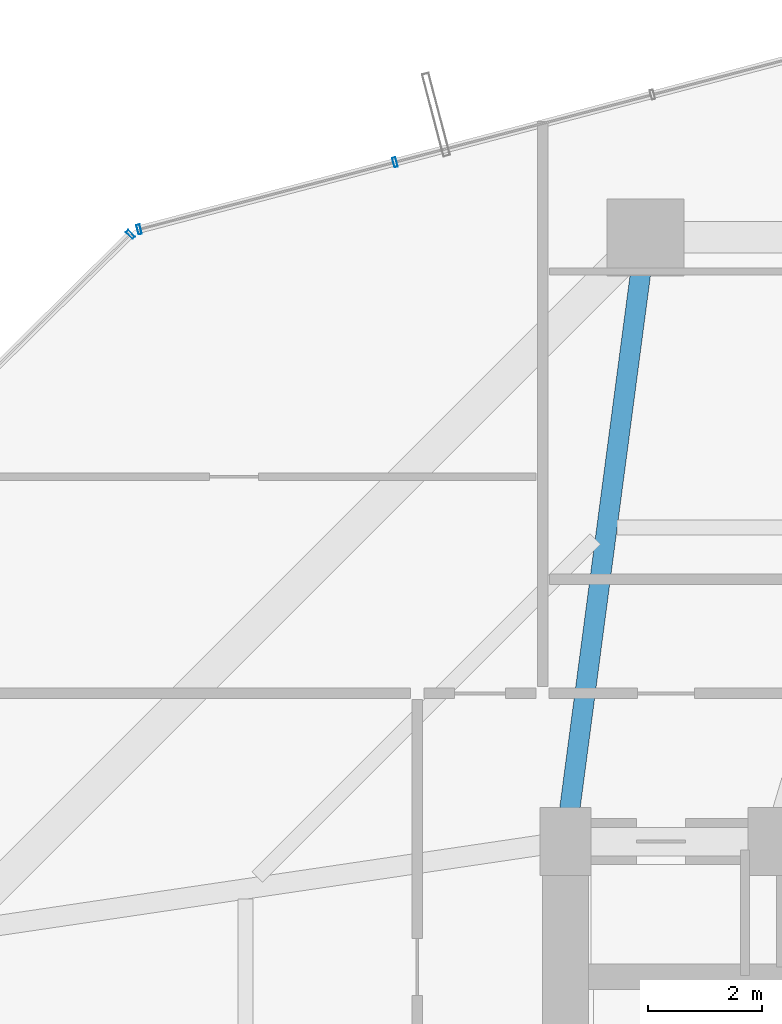
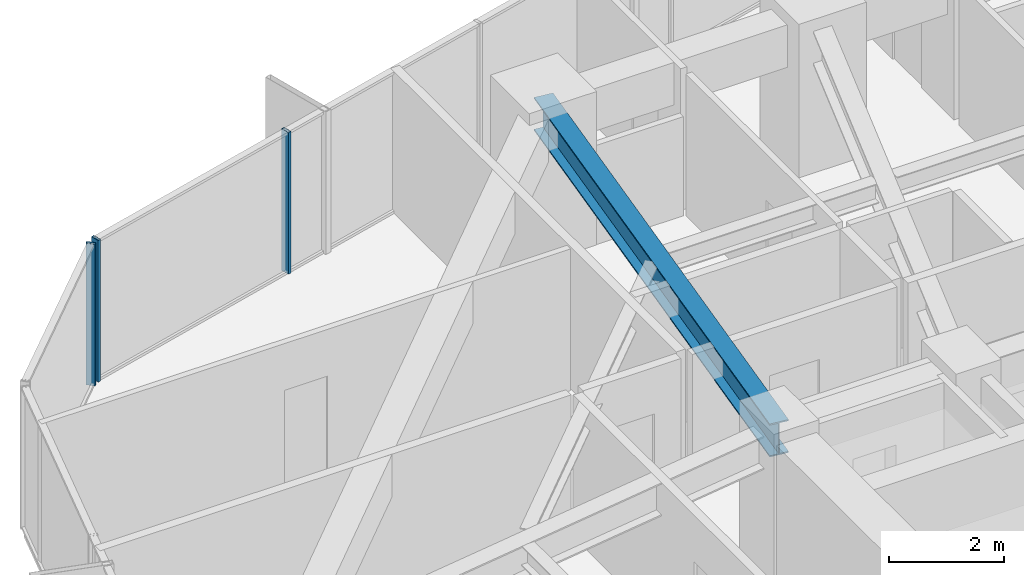
# One storey, part 24 of 39: 3 members, 1 beam, 2 elements without a shape of their own.
"""IFC4 building model written with IfcOpenShell, lengths in metres."""

import ifcopenshell
import ifcopenshell.guid

model = None  # the IFC model being written
_history = None  # IfcOwnerHistory: only IFC2X3 demands one
_inside = {}  # id of a spatial element -> (the spatial element, [elements in it])
_under = {}  # id of a project, library or spatial element -> (it, [spatial elements below it])
_declared = {}  # id of a project -> (the project, [libraries it declares])
_typed = {}  # id of a type object -> (the type object, [elements of that type])
_made_of = {}  # id of a material, layer set ... -> (it, [elements and type objects made of it])


def new_model(schema):
    """Start an empty IFC model of exactly this schema.

    Asked for "IFC4X3", IfcOpenShell would pick the latest addendum, in which some entities
    have other attributes; the version numbers below select the first issue.
    IFC2X3 requires an IfcOwnerHistory on every rooted entity: one is made here for all.
    """
    global model, _history
    if schema == "IFC4X3":
        model = ifcopenshell.file(schema_version=(4, 3, 0, 0))
    else:
        model = ifcopenshell.file(schema=schema)
    _inside.clear()
    _under.clear()
    _declared.clear()
    _typed.clear()
    _made_of.clear()
    _history = None
    if model.schema == "IFC2X3":
        org = make("IfcOrganization", Name="unknown")
        user = make(
            "IfcPersonAndOrganization",
            ThePerson=make("IfcPerson", FamilyName="unknown"),
            TheOrganization=org,
        )
        app = make(
            "IfcApplication",
            ApplicationDeveloper=org,
            Version="unknown",
            ApplicationFullName="unknown",
            ApplicationIdentifier="unknown",
        )
        _history = make(
            "IfcOwnerHistory",
            OwningUser=user,
            OwningApplication=app,
            ChangeAction="ADDED",
            CreationDate=0,
        )
    return model


def make(cls, **values):
    """One entity of the class cls with the attributes given. An attribute that is None is left unset."""
    return model.create_entity(
        cls, **{name: value for name, value in values.items() if value is not None}
    )


def rooted(cls, **values):
    """An entity with a GlobalId (a new one), such as an element, a storey or a relation."""
    return make(cls, GlobalId=ifcopenshell.guid.new(), OwnerHistory=_history, **values)


def si_unit(unit_type, name, prefix=None):
    """IfcSIUnit, for example si_unit("LENGTHUNIT", "METRE", prefix="MILLI")."""
    return make("IfcSIUnit", UnitType=unit_type, Prefix=prefix, Name=name)


def assignment(units):
    """IfcUnitAssignment: the units of a project."""
    return None if units is None else make("IfcUnitAssignment", Units=units)


def point(xyz):
    """IfcCartesianPoint."""
    return None if xyz is None else make("IfcCartesianPoint", Coordinates=xyz)


def direction(xyz):
    """IfcDirection."""
    return None if xyz is None else make("IfcDirection", DirectionRatios=xyz)


def frame(location, z_axis=None, x_axis=None):
    """IfcAxis2Placement3D, a coordinate frame: its origin and axes. An axis left out is left unset."""
    return make(
        "IfcAxis2Placement3D",
        Location=point(location),
        Axis=direction(z_axis),
        RefDirection=direction(x_axis),
    )


def frame_2d(location, x_axis=None):
    """IfcAxis2Placement2D, a coordinate frame in the plane: its origin and x axis."""
    return make(
        "IfcAxis2Placement2D", Location=point(location), RefDirection=direction(x_axis)
    )


def origin():
    """The frame at (0, 0, 0) with its axes left unset."""
    return frame((0.0, 0.0, 0.0))


def origin_2d():
    """The frame at (0, 0) in the plane with its x axis left unset."""
    return frame_2d((0.0, 0.0))


def place(relative_to, where):
    """IfcLocalPlacement: puts the frame where relative to a parent placement (None: the world)."""
    return make(
        "IfcLocalPlacement", PlacementRelTo=relative_to, RelativePlacement=where
    )


def context(
    kind, dimensions, precision=None, world=None, true_north=None, identifier=None
):
    """IfcGeometricRepresentationContext, for example the 3D "Model" context."""
    return make(
        "IfcGeometricRepresentationContext",
        ContextIdentifier=identifier,
        ContextType=kind,
        CoordinateSpaceDimension=dimensions,
        Precision=precision,
        WorldCoordinateSystem=world,
        TrueNorth=true_north,
    )


def subcontext(parent, identifier, kind, view, scale=None):
    """IfcGeometricRepresentationSubContext, for example "Body" below "Model"."""
    return make(
        "IfcGeometricRepresentationSubContext",
        ContextIdentifier=identifier,
        ContextType=kind,
        ParentContext=parent,
        TargetScale=scale,
        TargetView=view,
    )


def project(units=None, contexts=None):
    """IfcProject with its units and contexts."""
    return rooted(
        "IfcProject",
        Name="project",
        RepresentationContexts=contexts,
        UnitsInContext=assignment(units),
    )


def spatial(cls, under=None, at=None, **own):
    """A site, building, storey or space (cls), placed at a placement, below another one or the project."""
    s = rooted(cls, ObjectPlacement=at, **own)
    if under is not None:
        _under.setdefault(under.id(), (under, []))[1].append(s)
    return s


def profile(cls, at=None, kind="AREA", **sizes):
    """A parametric profile (cls). Its sizes go by their IFC names, for example OverallWidth=200.0."""
    return make(cls, ProfileType=kind, Position=at, **sizes)


def hollow_rectangle(**sizes):
    """IfcRectangleHollowProfileDef."""
    return profile("IfcRectangleHollowProfileDef", **sizes)


def i_section(**sizes):
    """IfcIShapeProfileDef."""
    return profile("IfcIShapeProfileDef", **sizes)


def extrude(swept, where, along, depth):
    """IfcExtrudedAreaSolid: the profile swept, set in the frame where, extruded along a direction by depth."""
    return make(
        "IfcExtrudedAreaSolid",
        SweptArea=swept,
        Position=where,
        ExtrudedDirection=direction(along),
        Depth=depth,
    )


def shape(context_of_items, identifier, shape_type, items):
    """IfcShapeRepresentation: the items that make up one representation, for example the "Body"."""
    return make(
        "IfcShapeRepresentation",
        ContextOfItems=context_of_items,
        RepresentationIdentifier=identifier,
        RepresentationType=shape_type,
        Items=items,
    )


def source(mapping_origin, context_of_items, identifier, shape_type, items):
    """IfcRepresentationMap: a shape defined once, which mapped items show again and again."""
    return make(
        "IfcRepresentationMap",
        MappingOrigin=mapping_origin,
        MappedRepresentation=shape(context_of_items, identifier, shape_type, items),
    )


def transform(
    local_origin,
    x_axis=None,
    y_axis=None,
    z_axis=None,
    scale=None,
    scale2=None,
    scale3=None,
    uniform=True,
):
    """IfcCartesianTransformationOperator3D, or its non-uniform kind. x_axis, y_axis, z_axis: its Axis1, 2, 3."""
    if uniform:
        return make(
            "IfcCartesianTransformationOperator3D",
            Axis1=direction(x_axis),
            Axis2=direction(y_axis),
            LocalOrigin=point(local_origin),
            Scale=scale,
            Axis3=direction(z_axis),
        )
    return make(
        "IfcCartesianTransformationOperator3DnonUniform",
        Axis1=direction(x_axis),
        Axis2=direction(y_axis),
        LocalOrigin=point(local_origin),
        Scale=scale,
        Axis3=direction(z_axis),
        Scale2=scale2,
        Scale3=scale3,
    )


def mapped(mapping_source, mapping_target):
    """IfcMappedItem: shows the shape of a source again, moved by a transform."""
    return make(
        "IfcMappedItem", MappingSource=mapping_source, MappingTarget=mapping_target
    )


def material(Name=None, Category=None):
    """IfcMaterial."""
    return make("IfcMaterial", Name=Name, Category=Category)


def layer(
    of_material, thickness, ventilated=None, Name=None, Category=None, Priority=None
):
    """IfcMaterialLayer: one layer of a wall or slab, of a material (None: an air gap)."""
    return make(
        "IfcMaterialLayer",
        Material=of_material,
        LayerThickness=thickness,
        IsVentilated=ventilated,
        Name=Name,
        Category=Category,
        Priority=Priority,
    )


def layer_set(layers, Name=None):
    """IfcMaterialLayerSet."""
    return make("IfcMaterialLayerSet", MaterialLayers=layers, LayerSetName=Name)


def material_profile(
    of_material, cross_section, Name=None, Category=None, Priority=None
):
    """IfcMaterialProfile: a cross section and its material."""
    return make(
        "IfcMaterialProfile",
        Name=Name,
        Material=of_material,
        Profile=cross_section,
        Priority=Priority,
        Category=Category,
    )


def profile_set(profiles, Name=None, composite=None):
    """IfcMaterialProfileSet."""
    return make(
        "IfcMaterialProfileSet",
        Name=Name,
        MaterialProfiles=profiles,
        CompositeProfile=composite,
    )


def made_of(thing, what):
    """Note that an element or type object is made of a material, layer set ...; save() writes the relation."""
    if what is not None:
        _made_of.setdefault(what.id(), (what, []))[1].append(thing)
    return thing


def type_object(cls, material=None, **own):
    """A type object (cls), such as IfcWallType, which elements share."""
    return made_of(rooted(cls, **own), material)


def element(
    cls,
    number,
    at=None,
    inside=None,
    cuts=None,
    type_object=None,
    material=None,
    context=None,
    identifier="Body",
    shape_type=None,
    held_by="IfcProductDefinitionShape",
    body=None,
    shapes=None,
    **own,
):
    """One element of the class cls, such as IfcWall. Its Tag is "e" and its number.

    at: its placement. inside: the storey or other place that contains it. cuts: it is an
    opening in that element (IfcRelVoidsElement). A single representation is given by context,
    identifier, shape_type and body (its items); several are given by shapes. held_by: the class
    of the entity that holds the representations. save() writes the other relations.
    """
    e = rooted(cls, Tag="e%d" % number, ObjectPlacement=at, **own)
    if body is not None:
        shapes = [shape(context, identifier, shape_type, body)]
    if shapes is not None:
        e.Representation = make(held_by, Representations=shapes)
    if inside is not None:
        _inside.setdefault(inside.id(), (inside, []))[1].append(e)
    if cuts is not None:
        rooted(
            "IfcRelVoidsElement", RelatingBuildingElement=cuts, RelatedOpeningElement=e
        )
    if type_object is not None:
        _typed.setdefault(type_object.id(), (type_object, []))[1].append(e)
    return made_of(e, material)


def aggregate(whole, parts):
    """IfcRelAggregates: a whole, such as a stair, and the parts it consists of."""
    return rooted("IfcRelAggregates", RelatingObject=whole, RelatedObjects=parts)


def save(model, path):
    """Write the relations noted so far, then the file.

    IfcRelAggregates (storeys below a building ...), IfcRelContainedInSpatialStructure (elements
    in a storey), IfcRelDefinesByType, IfcRelAssociatesMaterial and IfcRelDeclares: one each for
    every whole, place, type object, material and project.
    """
    for whole, parts in _under.values():
        aggregate(whole, parts)
    for where, things in _inside.values():
        rooted(
            "IfcRelContainedInSpatialStructure",
            RelatedElements=things,
            RelatingStructure=where,
        )
    for kind, things in _typed.values():
        rooted("IfcRelDefinesByType", RelatedObjects=things, RelatingType=kind)
    for what, things in _made_of.values():
        rooted("IfcRelAssociatesMaterial", RelatedObjects=things, RelatingMaterial=what)
    for by, libraries in _declared.values():
        rooted("IfcRelDeclares", RelatingContext=by, RelatedDefinitions=libraries)
    model.write(path)


model = new_model("IFC4")

# Units and contexts
model_context = context("Model", 3, precision=1e-05, world=origin(), true_north=direction((0.0, 1.0)))
body_context = subcontext(model_context, "Body", "Model", "MODEL_VIEW")
ifc_project = project(units=[si_unit("LENGTHUNIT", "METRE"), si_unit("AREAUNIT", "SQUARE_METRE"), si_unit("VOLUMEUNIT", "CUBIC_METRE"), si_unit("PLANEANGLEUNIT", "RADIAN"), si_unit("MASSUNIT", "GRAM", prefix="KILO")], contexts=[model_context])

# Site, building, storey
site_placement = place(None, origin())
site = spatial("IfcSite", under=ifc_project, at=site_placement, CompositionType="ELEMENT")
building_placement = place(site_placement, origin())
building = spatial("IfcBuilding", under=site, at=building_placement, Name="Veraguas Prism Commons", CompositionType="ELEMENT")
storey_placement = place(building_placement, frame((0.0, 0.0, 73.85009765625)))
storey = spatial("IfcBuildingStorey", under=building, at=storey_placement, Name="L20", CompositionType="ELEMENT", Elevation=73.85009765625)

# Beam
ifc_material_1 = material(Name="Steel ASTM A992 Grade 50", Category="steel")
ifc_material_profile_1 = material_profile(ifc_material_1, i_section(OverallWidth=0.35595703125, OverallDepth=0.700927734375, WebThickness=0.016845703125, FlangeThickness=0.02734375, at=origin_2d()), Name="W690X240")
ifc_profile_set_1 = profile_set([ifc_material_profile_1], Name="Steel ASTM A992 Grade 50")
beam_type = type_object("IfcBeamType", Name="Zone 1 Radial Girder W690x240", PredefinedType="BEAM", material=ifc_profile_set_1)
beam_placement = place(storey_placement, frame((18.60009765625, 41.60009765625, 2.6494140625), z_axis=(-0.130950648891, -0.991388888154, 0.0), x_axis=(0.991388888154, -0.130950648891, 0.0)))
element("IfcBeam", 1, at=beam_placement, inside=storey, type_object=beam_type, Name="Radial Floor Girder L20-RD06", PredefinedType="BEAM", context=body_context, shape_type="SweptSolid", body=[
    extrude(i_section(OverallWidth=0.35595703125, OverallDepth=0.700927734375, WebThickness=0.016845703125, FlangeThickness=0.02734375, at=origin_2d()), origin(), (0.0, 0.0, 1.0), 10.692138671875),
])

# Curtain wall, members
ifc_material_2 = material(Name="Anodised aluminium EN AW-6063 T6", Category="aluminium")
ifc_layer = layer(ifc_material_2, 0.169921875, Name="Unitised Flush Curtain Wall Zone 1", Category="aluminium")
ifc_layer_set = layer_set([ifc_layer], Name="Anodised aluminium EN AW-6063 T6")
curtain_wall_type = type_object("IfcCurtainWallType", Name="Unitised Flush Curtain Wall Zone 1", PredefinedType="NOTDEFINED", material=ifc_layer_set)
curtain_wall_1_placement = place(storey_placement, origin())
curtain_wall_1 = element("IfcCurtainWall", 2, at=curtain_wall_1_placement, inside=storey, type_object=curtain_wall_type, Name="Tower Facade Curtain Wall L20-F2", PredefinedType="NOTDEFINED")
ifc_material_profile_2 = material_profile(ifc_material_2, hollow_rectangle(XDim=0.06005859375, YDim=0.169921875, WallThickness=0.00390625, at=origin_2d()), Name="AL60X170X4")
ifc_profile_set_2 = profile_set([ifc_material_profile_2], Name="Anodised aluminium EN AW-6063 T6")
member_type = type_object("IfcMemberType", Name="Curtain Wall Mullion Lower AL 60x170x4", PredefinedType="MULLION", material=ifc_profile_set_2)
shared_shape = source(origin(), body_context, "Body", "SweptSolid", [
    extrude(hollow_rectangle(XDim=0.06005859375, YDim=0.169921875, WallThickness=0.00390625, at=origin_2d()), origin(), (0.0, 0.0, 1.0), 3.0),
])
member_1_placement = place(storey_placement, frame((14.207763671875, 42.9189453125, 0.0), z_axis=(0.0, 0.0, 1.0), x_axis=(-0.967267309883, -0.253759632785, 0.0)))
member_1 = element("IfcMember", 3, at=member_1_placement, type_object=member_type, Name="CW-Z1 Mullion 4", PredefinedType="MULLION", context=body_context, shape_type="MappedRepresentation", body=[
    mapped(shared_shape, transform((0.0, 0.0, 0.0), scale=1.0)),
])
member_2_placement = place(storey_placement, frame((9.718505859375, 41.7412109375, 0.0), z_axis=(0.0, 0.0, 1.0), x_axis=(-0.967267309883, -0.253759632785, 0.0)))
member_2 = element("IfcMember", 4, at=member_2_placement, type_object=member_type, Name="CW-Z1 Mullion 5", PredefinedType="MULLION", context=body_context, shape_type="MappedRepresentation", body=[
    mapped(shared_shape, transform((0.0, 0.0, 0.0), scale=1.0)),
])
aggregate(curtain_wall_1, [member_1, member_2])

# Curtain wall, member
curtain_wall_2_placement = place(storey_placement, origin())
curtain_wall_2 = element("IfcCurtainWall", 5, at=curtain_wall_2_placement, inside=storey, type_object=curtain_wall_type, Name="Chamfer Curtain Wall L20-C3", PredefinedType="NOTDEFINED")
member_3_placement = place(storey_placement, frame((9.567626953125, 41.6552734375, 0.0), z_axis=(0.0, 0.0, 1.0), x_axis=(-0.710806839766, -0.703387259297, 0.0)))
member_3 = element("IfcMember", 6, at=member_3_placement, type_object=member_type, Name="CW-Z1 Mullion 1", PredefinedType="MULLION", context=body_context, shape_type="MappedRepresentation", body=[
    mapped(shared_shape, transform((0.0, 0.0, 0.0), scale=1.0)),
])
aggregate(curtain_wall_2, [member_3])

save(model, "model.ifc")
